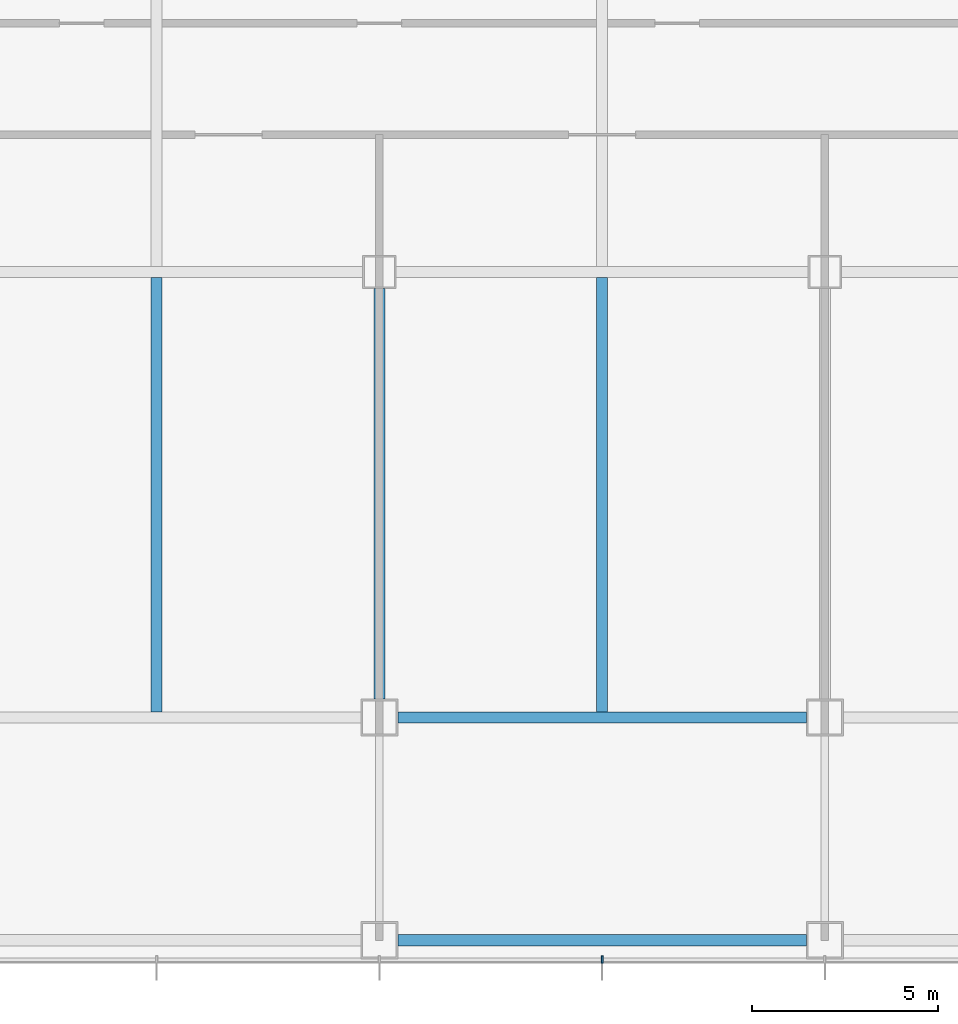
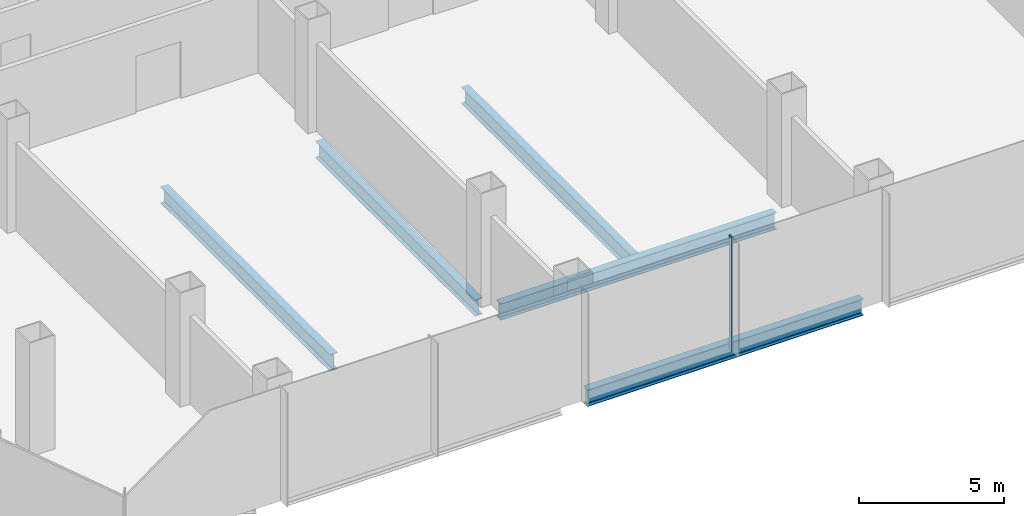
# One storey, part 3 of 33: 5 beams, 1 member, 1 element without a shape of its own.
"""IFC4 building model written with IfcOpenShell, lengths in metres."""

from ifc_helpers import new_model, si_unit, direction, frame, origin, origin_2d, place, context, subcontext, project, spatial, rectangle, i_section, extrude, material, material_profile, profile_set, type_object, element, aggregate, save


model = new_model("IFC4")

# Units and contexts
model_context = context("Model", 3, precision=1e-05, world=origin(), true_north=direction((0.0, 1.0)))
body_context = subcontext(model_context, "Body", "Model", "MODEL_VIEW")
ifc_project = project(units=[si_unit("LENGTHUNIT", "METRE"), si_unit("AREAUNIT", "SQUARE_METRE"), si_unit("VOLUMEUNIT", "CUBIC_METRE"), si_unit("PLANEANGLEUNIT", "RADIAN"), si_unit("MASSUNIT", "GRAM", prefix="KILO")], contexts=[model_context])

# Site, building, storey
site_placement = place(None, origin())
site = spatial("IfcSite", under=ifc_project, at=site_placement, CompositionType="ELEMENT")
building_placement = place(site_placement, origin())
building = spatial("IfcBuilding", under=site, at=building_placement, Name="Sorahane Residences", CompositionType="ELEMENT")
storey_placement = place(building_placement, frame((0.0, 0.0, 30.0)))
storey = spatial("IfcBuildingStorey", under=building, at=storey_placement, Name="L04", CompositionType="ELEMENT", Elevation=30.0)

# Curtain wall, member
ifc_material_1 = material(Name="Dark low-e glass and black anodised aluminium", Category="aluminium")
curtain_wall_type = type_object("IfcCurtainWallType", Name="Curtain wall CW-3 Podium unitised wall", PredefinedType="NOTDEFINED", material=ifc_material_1)
curtain_wall_placement = place(storey_placement, origin())
curtain_wall = element("IfcCurtainWall", 1, at=curtain_wall_placement, inside=storey, type_object=curtain_wall_type, Name="CW-3 curtain wall L04 S1", PredefinedType="NOTDEFINED")
ifc_material_2 = material(Name="Black anodised aluminium", Category="aluminium")
ifc_material_profile_1 = material_profile(ifc_material_2, rectangle(XDim=0.199951171875, YDim=0.050048828125, at=origin_2d()), Name="Curtain wall mullion CW-3 black anodised aluminium 50x200")
ifc_profile_set_1 = profile_set([ifc_material_profile_1], Name="Black anodised aluminium")
member_type = type_object("IfcMemberType", Name="Curtain wall mullion CW-3 black anodised aluminium 50x200", PredefinedType="MULLION", material=ifc_profile_set_1)
member_placement = place(storey_placement, frame((30.0, -6.52001953125, -0.39990234375), z_axis=(0.0, 0.0, 1.0), x_axis=(0.0, -1.0, 0.0)))
member = element("IfcMember", 2, at=member_placement, type_object=member_type, Name="CW-3 mullion L04 S1.5", PredefinedType="MULLION", context=body_context, shape_type="SweptSolid", body=[
    extrude(rectangle(XDim=0.199951171875, YDim=0.050048828125, at=origin_2d()), origin(), (0.0, 0.0, 1.0), 4.7998046875),
])
aggregate(curtain_wall, [member])

# Beams
ifc_material_3 = material(Name="Steel Q355B", Category="steel")
ifc_material_profile_2 = material_profile(ifc_material_3, i_section(OverallWidth=0.300048828125, OverallDepth=0.699951171875, WebThickness=0.012939453125, FlangeThickness=0.02392578125, FilletRadius=0.028076171875, at=origin_2d()), Name="HN 700x300x13x24")
ifc_profile_set_2 = profile_set([ifc_material_profile_2], Name="Steel Q355B")
beam_type = type_object("IfcBeamType", Name="Steel floor beam HN 700x300x13x24 Q355B", PredefinedType="BEAM", material=ifc_profile_set_2)
beam_1_placement = place(storey_placement, frame((24.5, 0.0, -0.75), z_axis=(1.0, 0.0, 0.0), x_axis=(0.0, 1.0, 0.0)))
element("IfcBeam", 3, at=beam_1_placement, inside=storey, type_object=beam_type, Name="Beam L04 003", PredefinedType="BEAM", context=body_context, shape_type="SweptSolid", body=[
    extrude(i_section(OverallWidth=0.300048828125, OverallDepth=0.699951171875, WebThickness=0.012939453125, FlangeThickness=0.02392578125, FilletRadius=0.028076171875, at=origin_2d()), origin(), (0.0, 0.0, 1.0), 11.0),
])
beam_2_placement = place(storey_placement, frame((18.0, 0.14990234375, -0.75), z_axis=(0.0, 1.0, 0.0), x_axis=(-1.0, 0.0, 0.0)))
element("IfcBeam", 4, at=beam_2_placement, inside=storey, type_object=beam_type, Name="Beam L04 038", PredefinedType="BEAM", context=body_context, shape_type="SweptSolid", body=[
    extrude(i_section(OverallWidth=0.300048828125, OverallDepth=0.699951171875, WebThickness=0.012939453125, FlangeThickness=0.02392578125, FilletRadius=0.028076171875, at=origin_2d()), origin(), (0.0, 0.0, 1.0), 11.7001953125),
])
beam_3_placement = place(storey_placement, frame((24.0, 0.5, -0.75), z_axis=(0.0, 1.0, 0.0), x_axis=(-1.0, 0.0, 0.0)))
element("IfcBeam", 5, at=beam_3_placement, inside=storey, type_object=beam_type, Name="Beam L04 045", PredefinedType="BEAM", context=body_context, shape_type="SweptSolid", body=[
    extrude(i_section(OverallWidth=0.300048828125, OverallDepth=0.699951171875, WebThickness=0.012939453125, FlangeThickness=0.02392578125, FilletRadius=0.028076171875, at=origin_2d()), origin(), (0.0, 0.0, 1.0), 11.050048828125),
])
beam_4_placement = place(storey_placement, frame((30.0, 0.14990234375, -0.75), z_axis=(0.0, 1.0, 0.0), x_axis=(-1.0, 0.0, 0.0)))
element("IfcBeam", 6, at=beam_4_placement, inside=storey, type_object=beam_type, Name="Beam L04 047", PredefinedType="BEAM", context=body_context, shape_type="SweptSolid", body=[
    extrude(i_section(OverallWidth=0.300048828125, OverallDepth=0.699951171875, WebThickness=0.012939453125, FlangeThickness=0.02392578125, FilletRadius=0.028076171875, at=origin_2d()), origin(), (0.0, 0.0, 1.0), 11.7001953125),
])
beam_5_placement = place(storey_placement, frame((24.5, -6.0, -0.75), z_axis=(1.0, 0.0, 0.0), x_axis=(0.0, 1.0, 0.0)))
element("IfcBeam", 7, at=beam_5_placement, inside=storey, type_object=beam_type, Name="Beam L04 080", PredefinedType="BEAM", context=body_context, shape_type="SweptSolid", body=[
    extrude(i_section(OverallWidth=0.300048828125, OverallDepth=0.699951171875, WebThickness=0.012939453125, FlangeThickness=0.02392578125, FilletRadius=0.028076171875, at=origin_2d()), origin(), (0.0, 0.0, 1.0), 11.0),
])

save(model, "model.ifc")
